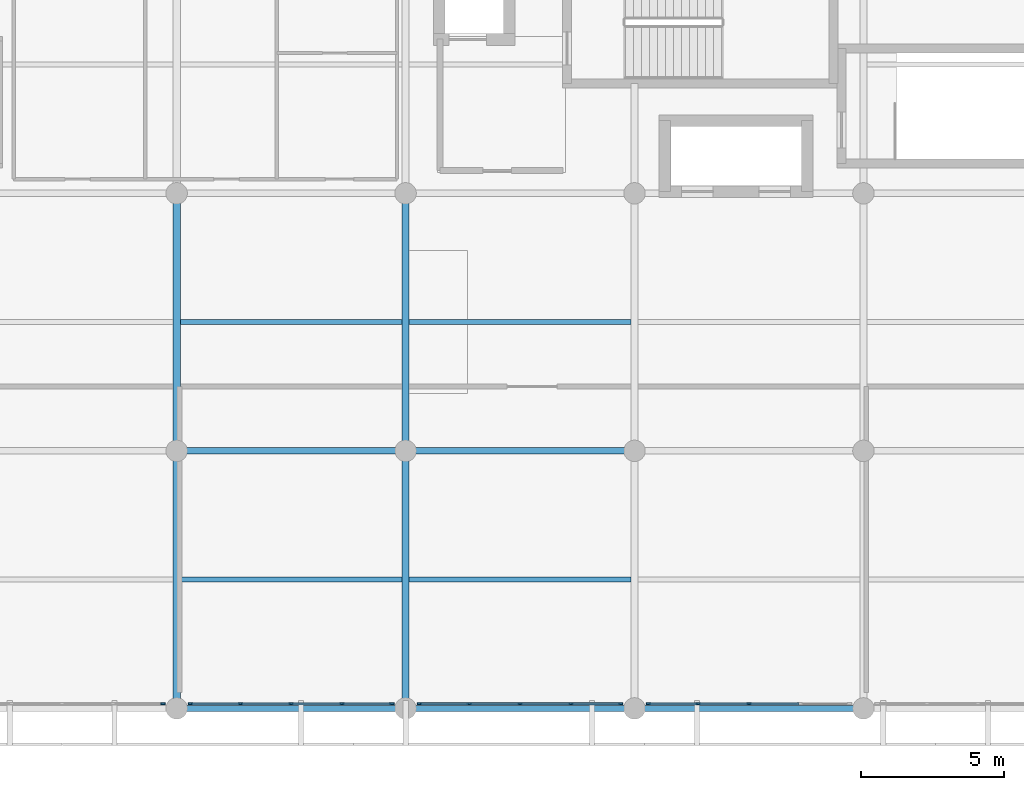
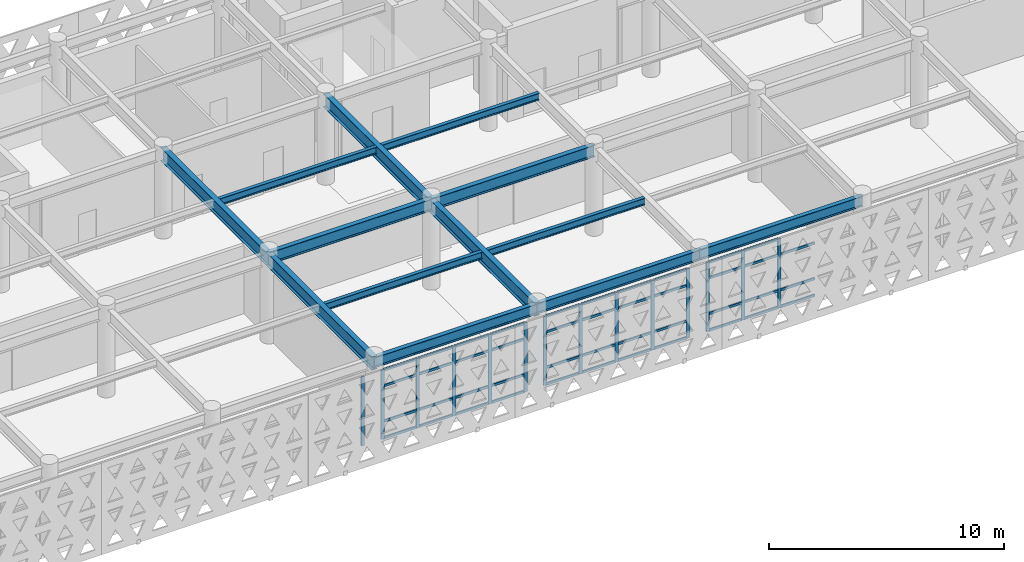
# One storey, part 10 of 33: 57 members, 13 beams, 4 elements without a shape of their own.
"""IFC4 building model written with IfcOpenShell, lengths in metres."""

import ifcopenshell
import ifcopenshell.guid

model = None  # the IFC model being written
_history = None  # IfcOwnerHistory: only IFC2X3 demands one
_inside = {}  # id of a spatial element -> (the spatial element, [elements in it])
_under = {}  # id of a project, library or spatial element -> (it, [spatial elements below it])
_declared = {}  # id of a project -> (the project, [libraries it declares])
_typed = {}  # id of a type object -> (the type object, [elements of that type])
_made_of = {}  # id of a material, layer set ... -> (it, [elements and type objects made of it])


def new_model(schema):
    """Start an empty IFC model of exactly this schema.

    Asked for "IFC4X3", IfcOpenShell would pick the latest addendum, in which some entities
    have other attributes; the version numbers below select the first issue.
    IFC2X3 requires an IfcOwnerHistory on every rooted entity: one is made here for all.
    """
    global model, _history
    if schema == "IFC4X3":
        model = ifcopenshell.file(schema_version=(4, 3, 0, 0))
    else:
        model = ifcopenshell.file(schema=schema)
    _inside.clear()
    _under.clear()
    _declared.clear()
    _typed.clear()
    _made_of.clear()
    _history = None
    if model.schema == "IFC2X3":
        org = make("IfcOrganization", Name="unknown")
        user = make(
            "IfcPersonAndOrganization",
            ThePerson=make("IfcPerson", FamilyName="unknown"),
            TheOrganization=org,
        )
        app = make(
            "IfcApplication",
            ApplicationDeveloper=org,
            Version="unknown",
            ApplicationFullName="unknown",
            ApplicationIdentifier="unknown",
        )
        _history = make(
            "IfcOwnerHistory",
            OwningUser=user,
            OwningApplication=app,
            ChangeAction="ADDED",
            CreationDate=0,
        )
    return model


def make(cls, **values):
    """One entity of the class cls with the attributes given. An attribute that is None is left unset."""
    return model.create_entity(
        cls, **{name: value for name, value in values.items() if value is not None}
    )


def rooted(cls, **values):
    """An entity with a GlobalId (a new one), such as an element, a storey or a relation."""
    return make(cls, GlobalId=ifcopenshell.guid.new(), OwnerHistory=_history, **values)


def si_unit(unit_type, name, prefix=None):
    """IfcSIUnit, for example si_unit("LENGTHUNIT", "METRE", prefix="MILLI")."""
    return make("IfcSIUnit", UnitType=unit_type, Prefix=prefix, Name=name)


def assignment(units):
    """IfcUnitAssignment: the units of a project."""
    return None if units is None else make("IfcUnitAssignment", Units=units)


def point(xyz):
    """IfcCartesianPoint."""
    return None if xyz is None else make("IfcCartesianPoint", Coordinates=xyz)


def direction(xyz):
    """IfcDirection."""
    return None if xyz is None else make("IfcDirection", DirectionRatios=xyz)


def frame(location, z_axis=None, x_axis=None):
    """IfcAxis2Placement3D, a coordinate frame: its origin and axes. An axis left out is left unset."""
    return make(
        "IfcAxis2Placement3D",
        Location=point(location),
        Axis=direction(z_axis),
        RefDirection=direction(x_axis),
    )


def frame_2d(location, x_axis=None):
    """IfcAxis2Placement2D, a coordinate frame in the plane: its origin and x axis."""
    return make(
        "IfcAxis2Placement2D", Location=point(location), RefDirection=direction(x_axis)
    )


def origin():
    """The frame at (0, 0, 0) with its axes left unset."""
    return frame((0.0, 0.0, 0.0))


def origin_2d():
    """The frame at (0, 0) in the plane with its x axis left unset."""
    return frame_2d((0.0, 0.0))


def place(relative_to, where):
    """IfcLocalPlacement: puts the frame where relative to a parent placement (None: the world)."""
    return make(
        "IfcLocalPlacement", PlacementRelTo=relative_to, RelativePlacement=where
    )


def context(
    kind, dimensions, precision=None, world=None, true_north=None, identifier=None
):
    """IfcGeometricRepresentationContext, for example the 3D "Model" context."""
    return make(
        "IfcGeometricRepresentationContext",
        ContextIdentifier=identifier,
        ContextType=kind,
        CoordinateSpaceDimension=dimensions,
        Precision=precision,
        WorldCoordinateSystem=world,
        TrueNorth=true_north,
    )


def subcontext(parent, identifier, kind, view, scale=None):
    """IfcGeometricRepresentationSubContext, for example "Body" below "Model"."""
    return make(
        "IfcGeometricRepresentationSubContext",
        ContextIdentifier=identifier,
        ContextType=kind,
        ParentContext=parent,
        TargetScale=scale,
        TargetView=view,
    )


def project(units=None, contexts=None):
    """IfcProject with its units and contexts."""
    return rooted(
        "IfcProject",
        Name="project",
        RepresentationContexts=contexts,
        UnitsInContext=assignment(units),
    )


def spatial(cls, under=None, at=None, **own):
    """A site, building, storey or space (cls), placed at a placement, below another one or the project."""
    s = rooted(cls, ObjectPlacement=at, **own)
    if under is not None:
        _under.setdefault(under.id(), (under, []))[1].append(s)
    return s


def profile(cls, at=None, kind="AREA", **sizes):
    """A parametric profile (cls). Its sizes go by their IFC names, for example OverallWidth=200.0."""
    return make(cls, ProfileType=kind, Position=at, **sizes)


def rectangle(**sizes):
    """IfcRectangleProfileDef."""
    return profile("IfcRectangleProfileDef", **sizes)


def i_section(**sizes):
    """IfcIShapeProfileDef."""
    return profile("IfcIShapeProfileDef", **sizes)


def extrude(swept, where, along, depth):
    """IfcExtrudedAreaSolid: the profile swept, set in the frame where, extruded along a direction by depth."""
    return make(
        "IfcExtrudedAreaSolid",
        SweptArea=swept,
        Position=where,
        ExtrudedDirection=direction(along),
        Depth=depth,
    )


def shape(context_of_items, identifier, shape_type, items):
    """IfcShapeRepresentation: the items that make up one representation, for example the "Body"."""
    return make(
        "IfcShapeRepresentation",
        ContextOfItems=context_of_items,
        RepresentationIdentifier=identifier,
        RepresentationType=shape_type,
        Items=items,
    )


def material(Name=None, Category=None):
    """IfcMaterial."""
    return make("IfcMaterial", Name=Name, Category=Category)


def layer(
    of_material, thickness, ventilated=None, Name=None, Category=None, Priority=None
):
    """IfcMaterialLayer: one layer of a wall or slab, of a material (None: an air gap)."""
    return make(
        "IfcMaterialLayer",
        Material=of_material,
        LayerThickness=thickness,
        IsVentilated=ventilated,
        Name=Name,
        Category=Category,
        Priority=Priority,
    )


def layer_set(layers, Name=None):
    """IfcMaterialLayerSet."""
    return make("IfcMaterialLayerSet", MaterialLayers=layers, LayerSetName=Name)


def material_profile(
    of_material, cross_section, Name=None, Category=None, Priority=None
):
    """IfcMaterialProfile: a cross section and its material."""
    return make(
        "IfcMaterialProfile",
        Name=Name,
        Material=of_material,
        Profile=cross_section,
        Priority=Priority,
        Category=Category,
    )


def profile_set(profiles, Name=None, composite=None):
    """IfcMaterialProfileSet."""
    return make(
        "IfcMaterialProfileSet",
        Name=Name,
        MaterialProfiles=profiles,
        CompositeProfile=composite,
    )


def made_of(thing, what):
    """Note that an element or type object is made of a material, layer set ...; save() writes the relation."""
    if what is not None:
        _made_of.setdefault(what.id(), (what, []))[1].append(thing)
    return thing


def type_object(cls, material=None, **own):
    """A type object (cls), such as IfcWallType, which elements share."""
    return made_of(rooted(cls, **own), material)


def element(
    cls,
    number,
    at=None,
    inside=None,
    cuts=None,
    type_object=None,
    material=None,
    context=None,
    identifier="Body",
    shape_type=None,
    held_by="IfcProductDefinitionShape",
    body=None,
    shapes=None,
    **own,
):
    """One element of the class cls, such as IfcWall. Its Tag is "e" and its number.

    at: its placement. inside: the storey or other place that contains it. cuts: it is an
    opening in that element (IfcRelVoidsElement). A single representation is given by context,
    identifier, shape_type and body (its items); several are given by shapes. held_by: the class
    of the entity that holds the representations. save() writes the other relations.
    """
    e = rooted(cls, Tag="e%d" % number, ObjectPlacement=at, **own)
    if body is not None:
        shapes = [shape(context, identifier, shape_type, body)]
    if shapes is not None:
        e.Representation = make(held_by, Representations=shapes)
    if inside is not None:
        _inside.setdefault(inside.id(), (inside, []))[1].append(e)
    if cuts is not None:
        rooted(
            "IfcRelVoidsElement", RelatingBuildingElement=cuts, RelatedOpeningElement=e
        )
    if type_object is not None:
        _typed.setdefault(type_object.id(), (type_object, []))[1].append(e)
    return made_of(e, material)


def aggregate(whole, parts):
    """IfcRelAggregates: a whole, such as a stair, and the parts it consists of."""
    return rooted("IfcRelAggregates", RelatingObject=whole, RelatedObjects=parts)


def save(model, path):
    """Write the relations noted so far, then the file.

    IfcRelAggregates (storeys below a building ...), IfcRelContainedInSpatialStructure (elements
    in a storey), IfcRelDefinesByType, IfcRelAssociatesMaterial and IfcRelDeclares: one each for
    every whole, place, type object, material and project.
    """
    for whole, parts in _under.values():
        aggregate(whole, parts)
    for where, things in _inside.values():
        rooted(
            "IfcRelContainedInSpatialStructure",
            RelatedElements=things,
            RelatingStructure=where,
        )
    for kind, things in _typed.values():
        rooted("IfcRelDefinesByType", RelatedObjects=things, RelatingType=kind)
    for what, things in _made_of.values():
        rooted("IfcRelAssociatesMaterial", RelatedObjects=things, RelatingMaterial=what)
    for by, libraries in _declared.values():
        rooted("IfcRelDeclares", RelatingContext=by, RelatedDefinitions=libraries)
    model.write(path)


model = new_model("IFC4")

# Units and contexts
model_context = context("Model", 3, precision=1e-05, world=origin(), true_north=direction((0.0, 1.0)))
body_context = subcontext(model_context, "Body", "Model", "MODEL_VIEW")
ifc_project = project(units=[si_unit("LENGTHUNIT", "METRE"), si_unit("AREAUNIT", "SQUARE_METRE"), si_unit("VOLUMEUNIT", "CUBIC_METRE"), si_unit("PLANEANGLEUNIT", "RADIAN"), si_unit("MASSUNIT", "GRAM", prefix="KILO")], contexts=[model_context])

# Site, building, storey
site_placement = place(None, origin())
site = spatial("IfcSite", under=ifc_project, at=site_placement, CompositionType="ELEMENT")
building_placement = place(site_placement, origin())
building = spatial("IfcBuilding", under=site, at=building_placement, Name="Tlacozan Convention Centre", CompositionType="ELEMENT")
storey_placement = place(building_placement, frame((0.0, 0.0, 16.199951171875)))
storey = spatial("IfcBuildingStorey", under=building, at=storey_placement, Name="L03", CompositionType="ELEMENT", Elevation=16.199951171875)

# Curtain wall, member
ifc_material_1 = material(Name="Dark Bronze Anodised Aluminium", Category="aluminium")
ifc_layer = layer(ifc_material_1, 0.159912109375)
ifc_layer_set = layer_set([ifc_layer], Name="Dark Bronze Anodised Aluminium")
curtain_wall_type = type_object("IfcCurtainWallType", Name="Unitised Congress L03 South CW04", PredefinedType="NOTDEFINED", material=ifc_layer_set)
curtain_wall_1_placement = place(storey_placement, origin())
curtain_wall_1 = element("IfcCurtainWall", 1, at=curtain_wall_1_placement, inside=storey, type_object=curtain_wall_type, Name="L03 CW-04 Run 107", PredefinedType="NOTDEFINED")
ifc_material_profile_1 = material_profile(ifc_material_1, rectangle(XDim=0.06494140625, YDim=0.159912109375, at=origin_2d()), Name="ALU 65x160")
ifc_profile_set_1 = profile_set([ifc_material_profile_1], Name="Dark Bronze Anodised Aluminium")
member_type_1 = type_object("IfcMemberType", Name="Curtain Wall Mullion 65x160", PredefinedType="MULLION", material=ifc_profile_set_1)
member_1_placement = place(storey_placement, frame((63.517578125, 0.159912109375, 0.0), z_axis=(0.0, 0.0, 1.0), x_axis=(0.0, 1.0, 0.0)))
member_1 = element("IfcMember", 2, at=member_1_placement, type_object=member_type_1, Name="CW-04 mullion 5", PredefinedType="MULLION", context=body_context, shape_type="SweptSolid", body=[
    extrude(rectangle(XDim=0.06494140625, YDim=0.159912109375, at=origin_2d()), origin(), (0.0, 0.0, 1.0), 3.60009765625),
])
aggregate(curtain_wall_1, [member_1])

# Curtain wall, members
curtain_wall_2_placement = place(storey_placement, origin())
curtain_wall_2 = element("IfcCurtainWall", 3, at=curtain_wall_2_placement, inside=storey, type_object=curtain_wall_type, Name="L03 CW-04 Run 108", PredefinedType="NOTDEFINED")
member_2_placement = place(storey_placement, frame((64.482421875, 0.159912109375, 0.0), z_axis=(0.0, 0.0, 1.0), x_axis=(0.0, 1.0, 0.0)))
member_2 = element("IfcMember", 4, at=member_2_placement, type_object=member_type_1, Name="CW-04 mullion 1", PredefinedType="MULLION", context=body_context, shape_type="SweptSolid", body=[
    extrude(rectangle(XDim=0.06494140625, YDim=0.159912109375, at=origin_2d()), origin(), (0.0, 0.0, 1.0), 3.60009765625),
])
member_3_placement = place(storey_placement, frame((66.22509765625, 0.159912109375, 0.0), z_axis=(0.0, 0.0, 1.0), x_axis=(0.0, 1.0, 0.0)))
member_3 = element("IfcMember", 5, at=member_3_placement, type_object=member_type_1, Name="CW-04 mullion 2", PredefinedType="MULLION", context=body_context, shape_type="SweptSolid", body=[
    extrude(rectangle(XDim=0.06494140625, YDim=0.159912109375, at=origin_2d()), origin(), (0.0, 0.0, 1.0), 3.60009765625),
])
member_4_placement = place(storey_placement, frame((68.0, 0.159912109375, 0.0), z_axis=(0.0, 0.0, 1.0), x_axis=(0.0, 1.0, 0.0)))
member_4 = element("IfcMember", 6, at=member_4_placement, type_object=member_type_1, Name="CW-04 mullion 3", PredefinedType="MULLION", context=body_context, shape_type="SweptSolid", body=[
    extrude(rectangle(XDim=0.06494140625, YDim=0.159912109375, at=origin_2d()), origin(), (0.0, 0.0, 1.0), 3.60009765625),
])
member_5_placement = place(storey_placement, frame((69.77490234375, 0.159912109375, 0.0), z_axis=(0.0, 0.0, 1.0), x_axis=(0.0, 1.0, 0.0)))
member_5 = element("IfcMember", 7, at=member_5_placement, type_object=member_type_1, Name="CW-04 mullion 4", PredefinedType="MULLION", context=body_context, shape_type="SweptSolid", body=[
    extrude(rectangle(XDim=0.06494140625, YDim=0.159912109375, at=origin_2d()), origin(), (0.0, 0.0, 1.0), 3.60009765625),
])
member_6_placement = place(storey_placement, frame((71.517578125, 0.159912109375, 0.0), z_axis=(0.0, 0.0, 1.0), x_axis=(0.0, 1.0, 0.0)))
member_6 = element("IfcMember", 8, at=member_6_placement, type_object=member_type_1, Name="CW-04 mullion 5", PredefinedType="MULLION", context=body_context, shape_type="SweptSolid", body=[
    extrude(rectangle(XDim=0.06494140625, YDim=0.159912109375, at=origin_2d()), origin(), (0.0, 0.0, 1.0), 3.60009765625),
])

curtain_wall_3_placement = place(storey_placement, origin())
curtain_wall_3 = element("IfcCurtainWall", 9, at=curtain_wall_3_placement, inside=storey, type_object=curtain_wall_type, Name="L03 CW-04 Run 109", PredefinedType="NOTDEFINED")
member_7_placement = place(storey_placement, frame((72.482421875, 0.159912109375, 0.0), z_axis=(0.0, 0.0, 1.0), x_axis=(0.0, 1.0, 0.0)))
member_7 = element("IfcMember", 10, at=member_7_placement, type_object=member_type_1, Name="CW-04 mullion 1", PredefinedType="MULLION", context=body_context, shape_type="SweptSolid", body=[
    extrude(rectangle(XDim=0.06494140625, YDim=0.159912109375, at=origin_2d()), origin(), (0.0, 0.0, 1.0), 3.60009765625),
])
member_8_placement = place(storey_placement, frame((74.22509765625, 0.159912109375, 0.0), z_axis=(0.0, 0.0, 1.0), x_axis=(0.0, 1.0, 0.0)))
member_8 = element("IfcMember", 11, at=member_8_placement, type_object=member_type_1, Name="CW-04 mullion 2", PredefinedType="MULLION", context=body_context, shape_type="SweptSolid", body=[
    extrude(rectangle(XDim=0.06494140625, YDim=0.159912109375, at=origin_2d()), origin(), (0.0, 0.0, 1.0), 3.60009765625),
])
member_9_placement = place(storey_placement, frame((76.0, 0.159912109375, 0.0), z_axis=(0.0, 0.0, 1.0), x_axis=(0.0, 1.0, 0.0)))
member_9 = element("IfcMember", 12, at=member_9_placement, type_object=member_type_1, Name="CW-04 mullion 3", PredefinedType="MULLION", context=body_context, shape_type="SweptSolid", body=[
    extrude(rectangle(XDim=0.06494140625, YDim=0.159912109375, at=origin_2d()), origin(), (0.0, 0.0, 1.0), 3.60009765625),
])
member_10_placement = place(storey_placement, frame((77.77490234375, 0.159912109375, 0.0), z_axis=(0.0, 0.0, 1.0), x_axis=(0.0, 1.0, 0.0)))
member_10 = element("IfcMember", 13, at=member_10_placement, type_object=member_type_1, Name="CW-04 mullion 4", PredefinedType="MULLION", context=body_context, shape_type="SweptSolid", body=[
    extrude(rectangle(XDim=0.06494140625, YDim=0.159912109375, at=origin_2d()), origin(), (0.0, 0.0, 1.0), 3.60009765625),
])
member_11_placement = place(storey_placement, frame((79.517578125, 0.159912109375, 0.0), z_axis=(0.0, 0.0, 1.0), x_axis=(0.0, 1.0, 0.0)))
member_11 = element("IfcMember", 14, at=member_11_placement, type_object=member_type_1, Name="CW-04 mullion 5", PredefinedType="MULLION", context=body_context, shape_type="SweptSolid", body=[
    extrude(rectangle(XDim=0.06494140625, YDim=0.159912109375, at=origin_2d()), origin(), (0.0, 0.0, 1.0), 3.60009765625),
])

curtain_wall_4_placement = place(storey_placement, origin())
curtain_wall_4 = element("IfcCurtainWall", 15, at=curtain_wall_4_placement, inside=storey, type_object=curtain_wall_type, Name="L03 CW-04 Run 110", PredefinedType="NOTDEFINED")
member_12_placement = place(storey_placement, frame((80.482421875, 0.159912109375, 0.0), z_axis=(0.0, 0.0, 1.0), x_axis=(0.0, 1.0, 0.0)))
member_12 = element("IfcMember", 16, at=member_12_placement, type_object=member_type_1, Name="CW-04 mullion 1", PredefinedType="MULLION", context=body_context, shape_type="SweptSolid", body=[
    extrude(rectangle(XDim=0.06494140625, YDim=0.159912109375, at=origin_2d()), origin(), (0.0, 0.0, 1.0), 3.60009765625),
])
member_13_placement = place(storey_placement, frame((82.22509765625, 0.159912109375, 0.0), z_axis=(0.0, 0.0, 1.0), x_axis=(0.0, 1.0, 0.0)))
member_13 = element("IfcMember", 17, at=member_13_placement, type_object=member_type_1, Name="CW-04 mullion 2", PredefinedType="MULLION", context=body_context, shape_type="SweptSolid", body=[
    extrude(rectangle(XDim=0.06494140625, YDim=0.159912109375, at=origin_2d()), origin(), (0.0, 0.0, 1.0), 3.60009765625),
])
member_14_placement = place(storey_placement, frame((84.0, 0.159912109375, 0.0), z_axis=(0.0, 0.0, 1.0), x_axis=(0.0, 1.0, 0.0)))
member_14 = element("IfcMember", 18, at=member_14_placement, type_object=member_type_1, Name="CW-04 mullion 3", PredefinedType="MULLION", context=body_context, shape_type="SweptSolid", body=[
    extrude(rectangle(XDim=0.06494140625, YDim=0.159912109375, at=origin_2d()), origin(), (0.0, 0.0, 1.0), 3.60009765625),
])

# Member
ifc_material_profile_2 = material_profile(ifc_material_1, rectangle(XDim=0.06494140625, YDim=0.125, at=origin_2d()), Name="ALU 65x125")
ifc_profile_set_2 = profile_set([ifc_material_profile_2], Name="Dark Bronze Anodised Aluminium")
member_type_2 = type_object("IfcMemberType", Name="Curtain Wall Transom 65x125", PredefinedType="USERDEFINED", material=ifc_profile_set_2)
member_15_placement = place(storey_placement, frame((64.514892578125, 0.159912109375, 0.032470703125), z_axis=(1.0, 0.0, 0.0), x_axis=(0.0, 1.0, 0.0)))
member_15 = element("IfcMember", 19, at=member_15_placement, type_object=member_type_2, Name="CW-04 transom 1.1", ObjectType="TRANSOM", PredefinedType="USERDEFINED", context=body_context, shape_type="SweptSolid", body=[
    extrude(rectangle(XDim=0.06494140625, YDim=0.125, at=origin_2d()), origin(), (0.0, 0.0, 1.0), 1.677490234375),
])

member_16_placement = place(storey_placement, frame((64.514892578125, 0.159912109375, 0.900146484375), z_axis=(1.0, 0.0, 0.0), x_axis=(0.0, 1.0, 0.0)))
member_16 = element("IfcMember", 20, at=member_16_placement, type_object=member_type_2, Name="CW-04 transom 1.2", ObjectType="TRANSOM", PredefinedType="USERDEFINED", context=body_context, shape_type="SweptSolid", body=[
    extrude(rectangle(XDim=0.06494140625, YDim=0.125, at=origin_2d()), origin(), (0.0, 0.0, 1.0), 1.677490234375),
])

member_17_placement = place(storey_placement, frame((64.514892578125, 0.159912109375, 2.75), z_axis=(1.0, 0.0, 0.0), x_axis=(0.0, 1.0, 0.0)))
member_17 = element("IfcMember", 21, at=member_17_placement, type_object=member_type_2, Name="CW-04 transom 1.3", ObjectType="TRANSOM", PredefinedType="USERDEFINED", context=body_context, shape_type="SweptSolid", body=[
    extrude(rectangle(XDim=0.06494140625, YDim=0.125, at=origin_2d()), origin(), (0.0, 0.0, 1.0), 1.677490234375),
])

member_18_placement = place(storey_placement, frame((64.514892578125, 0.159912109375, 3.567626953125), z_axis=(1.0, 0.0, 0.0), x_axis=(0.0, 1.0, 0.0)))
member_18 = element("IfcMember", 22, at=member_18_placement, type_object=member_type_2, Name="CW-04 transom 1.4", ObjectType="TRANSOM", PredefinedType="USERDEFINED", context=body_context, shape_type="SweptSolid", body=[
    extrude(rectangle(XDim=0.06494140625, YDim=0.125, at=origin_2d()), origin(), (0.0, 0.0, 1.0), 1.677490234375),
])

member_19_placement = place(storey_placement, frame((66.257568359375, 0.159912109375, 0.032470703125), z_axis=(1.0, 0.0, 0.0), x_axis=(0.0, 1.0, 0.0)))
member_19 = element("IfcMember", 23, at=member_19_placement, type_object=member_type_2, Name="CW-04 transom 2.1", ObjectType="TRANSOM", PredefinedType="USERDEFINED", context=body_context, shape_type="SweptSolid", body=[
    extrude(rectangle(XDim=0.06494140625, YDim=0.125, at=origin_2d()), origin(), (0.0, 0.0, 1.0), 1.7099609375),
])

member_20_placement = place(storey_placement, frame((66.257568359375, 0.159912109375, 0.900146484375), z_axis=(1.0, 0.0, 0.0), x_axis=(0.0, 1.0, 0.0)))
member_20 = element("IfcMember", 24, at=member_20_placement, type_object=member_type_2, Name="CW-04 transom 2.2", ObjectType="TRANSOM", PredefinedType="USERDEFINED", context=body_context, shape_type="SweptSolid", body=[
    extrude(rectangle(XDim=0.06494140625, YDim=0.125, at=origin_2d()), origin(), (0.0, 0.0, 1.0), 1.7099609375),
])

member_21_placement = place(storey_placement, frame((66.257568359375, 0.159912109375, 2.75), z_axis=(1.0, 0.0, 0.0), x_axis=(0.0, 1.0, 0.0)))
member_21 = element("IfcMember", 25, at=member_21_placement, type_object=member_type_2, Name="CW-04 transom 2.3", ObjectType="TRANSOM", PredefinedType="USERDEFINED", context=body_context, shape_type="SweptSolid", body=[
    extrude(rectangle(XDim=0.06494140625, YDim=0.125, at=origin_2d()), origin(), (0.0, 0.0, 1.0), 1.7099609375),
])

member_22_placement = place(storey_placement, frame((66.257568359375, 0.159912109375, 3.567626953125), z_axis=(1.0, 0.0, 0.0), x_axis=(0.0, 1.0, 0.0)))
member_22 = element("IfcMember", 26, at=member_22_placement, type_object=member_type_2, Name="CW-04 transom 2.4", ObjectType="TRANSOM", PredefinedType="USERDEFINED", context=body_context, shape_type="SweptSolid", body=[
    extrude(rectangle(XDim=0.06494140625, YDim=0.125, at=origin_2d()), origin(), (0.0, 0.0, 1.0), 1.7099609375),
])

member_23_placement = place(storey_placement, frame((68.032470703125, 0.159912109375, 0.032470703125), z_axis=(1.0, 0.0, 0.0), x_axis=(0.0, 1.0, 0.0)))
member_23 = element("IfcMember", 27, at=member_23_placement, type_object=member_type_2, Name="CW-04 transom 3.1", ObjectType="TRANSOM", PredefinedType="USERDEFINED", context=body_context, shape_type="SweptSolid", body=[
    extrude(rectangle(XDim=0.06494140625, YDim=0.125, at=origin_2d()), origin(), (0.0, 0.0, 1.0), 1.7099609375),
])

member_24_placement = place(storey_placement, frame((68.032470703125, 0.159912109375, 0.900146484375), z_axis=(1.0, 0.0, 0.0), x_axis=(0.0, 1.0, 0.0)))
member_24 = element("IfcMember", 28, at=member_24_placement, type_object=member_type_2, Name="CW-04 transom 3.2", ObjectType="TRANSOM", PredefinedType="USERDEFINED", context=body_context, shape_type="SweptSolid", body=[
    extrude(rectangle(XDim=0.06494140625, YDim=0.125, at=origin_2d()), origin(), (0.0, 0.0, 1.0), 1.7099609375),
])

member_25_placement = place(storey_placement, frame((68.032470703125, 0.159912109375, 2.75), z_axis=(1.0, 0.0, 0.0), x_axis=(0.0, 1.0, 0.0)))
member_25 = element("IfcMember", 29, at=member_25_placement, type_object=member_type_2, Name="CW-04 transom 3.3", ObjectType="TRANSOM", PredefinedType="USERDEFINED", context=body_context, shape_type="SweptSolid", body=[
    extrude(rectangle(XDim=0.06494140625, YDim=0.125, at=origin_2d()), origin(), (0.0, 0.0, 1.0), 1.7099609375),
])

member_26_placement = place(storey_placement, frame((68.032470703125, 0.159912109375, 3.567626953125), z_axis=(1.0, 0.0, 0.0), x_axis=(0.0, 1.0, 0.0)))
member_26 = element("IfcMember", 30, at=member_26_placement, type_object=member_type_2, Name="CW-04 transom 3.4", ObjectType="TRANSOM", PredefinedType="USERDEFINED", context=body_context, shape_type="SweptSolid", body=[
    extrude(rectangle(XDim=0.06494140625, YDim=0.125, at=origin_2d()), origin(), (0.0, 0.0, 1.0), 1.7099609375),
])

member_27_placement = place(storey_placement, frame((69.8076171875, 0.159912109375, 0.032470703125), z_axis=(1.0, 0.0, 0.0), x_axis=(0.0, 1.0, 0.0)))
member_27 = element("IfcMember", 31, at=member_27_placement, type_object=member_type_2, Name="CW-04 transom 4.1", ObjectType="TRANSOM", PredefinedType="USERDEFINED", context=body_context, shape_type="SweptSolid", body=[
    extrude(rectangle(XDim=0.06494140625, YDim=0.125, at=origin_2d()), origin(), (0.0, 0.0, 1.0), 1.677490234375),
])

member_28_placement = place(storey_placement, frame((69.8076171875, 0.159912109375, 0.900146484375), z_axis=(1.0, 0.0, 0.0), x_axis=(0.0, 1.0, 0.0)))
member_28 = element("IfcMember", 32, at=member_28_placement, type_object=member_type_2, Name="CW-04 transom 4.2", ObjectType="TRANSOM", PredefinedType="USERDEFINED", context=body_context, shape_type="SweptSolid", body=[
    extrude(rectangle(XDim=0.06494140625, YDim=0.125, at=origin_2d()), origin(), (0.0, 0.0, 1.0), 1.677490234375),
])

member_29_placement = place(storey_placement, frame((69.8076171875, 0.159912109375, 2.75), z_axis=(1.0, 0.0, 0.0), x_axis=(0.0, 1.0, 0.0)))
member_29 = element("IfcMember", 33, at=member_29_placement, type_object=member_type_2, Name="CW-04 transom 4.3", ObjectType="TRANSOM", PredefinedType="USERDEFINED", context=body_context, shape_type="SweptSolid", body=[
    extrude(rectangle(XDim=0.06494140625, YDim=0.125, at=origin_2d()), origin(), (0.0, 0.0, 1.0), 1.677490234375),
])

member_30_placement = place(storey_placement, frame((69.8076171875, 0.159912109375, 3.567626953125), z_axis=(1.0, 0.0, 0.0), x_axis=(0.0, 1.0, 0.0)))
member_30 = element("IfcMember", 34, at=member_30_placement, type_object=member_type_2, Name="CW-04 transom 4.4", ObjectType="TRANSOM", PredefinedType="USERDEFINED", context=body_context, shape_type="SweptSolid", body=[
    extrude(rectangle(XDim=0.06494140625, YDim=0.125, at=origin_2d()), origin(), (0.0, 0.0, 1.0), 1.677490234375),
])

aggregate(curtain_wall_2, [member_2, member_3, member_4, member_5, member_6, member_15, member_16, member_17, member_18, member_19, member_20, member_21, member_22, member_23, member_24, member_25, member_26, member_27, member_28, member_29, member_30])

member_31_placement = place(storey_placement, frame((72.514892578125, 0.159912109375, 0.032470703125), z_axis=(1.0, 0.0, 0.0), x_axis=(0.0, 1.0, 0.0)))
member_31 = element("IfcMember", 35, at=member_31_placement, type_object=member_type_2, Name="CW-04 transom 1.1", ObjectType="TRANSOM", PredefinedType="USERDEFINED", context=body_context, shape_type="SweptSolid", body=[
    extrude(rectangle(XDim=0.06494140625, YDim=0.125, at=origin_2d()), origin(), (0.0, 0.0, 1.0), 1.677490234375),
])

member_32_placement = place(storey_placement, frame((72.514892578125, 0.159912109375, 0.900146484375), z_axis=(1.0, 0.0, 0.0), x_axis=(0.0, 1.0, 0.0)))
member_32 = element("IfcMember", 36, at=member_32_placement, type_object=member_type_2, Name="CW-04 transom 1.2", ObjectType="TRANSOM", PredefinedType="USERDEFINED", context=body_context, shape_type="SweptSolid", body=[
    extrude(rectangle(XDim=0.06494140625, YDim=0.125, at=origin_2d()), origin(), (0.0, 0.0, 1.0), 1.677490234375),
])

member_33_placement = place(storey_placement, frame((72.514892578125, 0.159912109375, 2.75), z_axis=(1.0, 0.0, 0.0), x_axis=(0.0, 1.0, 0.0)))
member_33 = element("IfcMember", 37, at=member_33_placement, type_object=member_type_2, Name="CW-04 transom 1.3", ObjectType="TRANSOM", PredefinedType="USERDEFINED", context=body_context, shape_type="SweptSolid", body=[
    extrude(rectangle(XDim=0.06494140625, YDim=0.125, at=origin_2d()), origin(), (0.0, 0.0, 1.0), 1.677490234375),
])

member_34_placement = place(storey_placement, frame((72.514892578125, 0.159912109375, 3.567626953125), z_axis=(1.0, 0.0, 0.0), x_axis=(0.0, 1.0, 0.0)))
member_34 = element("IfcMember", 38, at=member_34_placement, type_object=member_type_2, Name="CW-04 transom 1.4", ObjectType="TRANSOM", PredefinedType="USERDEFINED", context=body_context, shape_type="SweptSolid", body=[
    extrude(rectangle(XDim=0.06494140625, YDim=0.125, at=origin_2d()), origin(), (0.0, 0.0, 1.0), 1.677490234375),
])

member_35_placement = place(storey_placement, frame((74.257568359375, 0.159912109375, 0.032470703125), z_axis=(1.0, 0.0, 0.0), x_axis=(0.0, 1.0, 0.0)))
member_35 = element("IfcMember", 39, at=member_35_placement, type_object=member_type_2, Name="CW-04 transom 2.1", ObjectType="TRANSOM", PredefinedType="USERDEFINED", context=body_context, shape_type="SweptSolid", body=[
    extrude(rectangle(XDim=0.06494140625, YDim=0.125, at=origin_2d()), origin(), (0.0, 0.0, 1.0), 1.7099609375),
])

member_36_placement = place(storey_placement, frame((74.257568359375, 0.159912109375, 0.900146484375), z_axis=(1.0, 0.0, 0.0), x_axis=(0.0, 1.0, 0.0)))
member_36 = element("IfcMember", 40, at=member_36_placement, type_object=member_type_2, Name="CW-04 transom 2.2", ObjectType="TRANSOM", PredefinedType="USERDEFINED", context=body_context, shape_type="SweptSolid", body=[
    extrude(rectangle(XDim=0.06494140625, YDim=0.125, at=origin_2d()), origin(), (0.0, 0.0, 1.0), 1.7099609375),
])

member_37_placement = place(storey_placement, frame((74.257568359375, 0.159912109375, 2.75), z_axis=(1.0, 0.0, 0.0), x_axis=(0.0, 1.0, 0.0)))
member_37 = element("IfcMember", 41, at=member_37_placement, type_object=member_type_2, Name="CW-04 transom 2.3", ObjectType="TRANSOM", PredefinedType="USERDEFINED", context=body_context, shape_type="SweptSolid", body=[
    extrude(rectangle(XDim=0.06494140625, YDim=0.125, at=origin_2d()), origin(), (0.0, 0.0, 1.0), 1.7099609375),
])

member_38_placement = place(storey_placement, frame((74.257568359375, 0.159912109375, 3.567626953125), z_axis=(1.0, 0.0, 0.0), x_axis=(0.0, 1.0, 0.0)))
member_38 = element("IfcMember", 42, at=member_38_placement, type_object=member_type_2, Name="CW-04 transom 2.4", ObjectType="TRANSOM", PredefinedType="USERDEFINED", context=body_context, shape_type="SweptSolid", body=[
    extrude(rectangle(XDim=0.06494140625, YDim=0.125, at=origin_2d()), origin(), (0.0, 0.0, 1.0), 1.7099609375),
])

member_39_placement = place(storey_placement, frame((76.032470703125, 0.159912109375, 0.032470703125), z_axis=(1.0, 0.0, 0.0), x_axis=(0.0, 1.0, 0.0)))
member_39 = element("IfcMember", 43, at=member_39_placement, type_object=member_type_2, Name="CW-04 transom 3.1", ObjectType="TRANSOM", PredefinedType="USERDEFINED", context=body_context, shape_type="SweptSolid", body=[
    extrude(rectangle(XDim=0.06494140625, YDim=0.125, at=origin_2d()), origin(), (0.0, 0.0, 1.0), 1.7099609375),
])

member_40_placement = place(storey_placement, frame((76.032470703125, 0.159912109375, 0.900146484375), z_axis=(1.0, 0.0, 0.0), x_axis=(0.0, 1.0, 0.0)))
member_40 = element("IfcMember", 44, at=member_40_placement, type_object=member_type_2, Name="CW-04 transom 3.2", ObjectType="TRANSOM", PredefinedType="USERDEFINED", context=body_context, shape_type="SweptSolid", body=[
    extrude(rectangle(XDim=0.06494140625, YDim=0.125, at=origin_2d()), origin(), (0.0, 0.0, 1.0), 1.7099609375),
])

member_41_placement = place(storey_placement, frame((76.032470703125, 0.159912109375, 2.75), z_axis=(1.0, 0.0, 0.0), x_axis=(0.0, 1.0, 0.0)))
member_41 = element("IfcMember", 45, at=member_41_placement, type_object=member_type_2, Name="CW-04 transom 3.3", ObjectType="TRANSOM", PredefinedType="USERDEFINED", context=body_context, shape_type="SweptSolid", body=[
    extrude(rectangle(XDim=0.06494140625, YDim=0.125, at=origin_2d()), origin(), (0.0, 0.0, 1.0), 1.7099609375),
])

member_42_placement = place(storey_placement, frame((76.032470703125, 0.159912109375, 3.567626953125), z_axis=(1.0, 0.0, 0.0), x_axis=(0.0, 1.0, 0.0)))
member_42 = element("IfcMember", 46, at=member_42_placement, type_object=member_type_2, Name="CW-04 transom 3.4", ObjectType="TRANSOM", PredefinedType="USERDEFINED", context=body_context, shape_type="SweptSolid", body=[
    extrude(rectangle(XDim=0.06494140625, YDim=0.125, at=origin_2d()), origin(), (0.0, 0.0, 1.0), 1.7099609375),
])

member_43_placement = place(storey_placement, frame((77.8076171875, 0.159912109375, 0.032470703125), z_axis=(1.0, 0.0, 0.0), x_axis=(0.0, 1.0, 0.0)))
member_43 = element("IfcMember", 47, at=member_43_placement, type_object=member_type_2, Name="CW-04 transom 4.1", ObjectType="TRANSOM", PredefinedType="USERDEFINED", context=body_context, shape_type="SweptSolid", body=[
    extrude(rectangle(XDim=0.06494140625, YDim=0.125, at=origin_2d()), origin(), (0.0, 0.0, 1.0), 1.677490234375),
])

member_44_placement = place(storey_placement, frame((77.8076171875, 0.159912109375, 0.900146484375), z_axis=(1.0, 0.0, 0.0), x_axis=(0.0, 1.0, 0.0)))
member_44 = element("IfcMember", 48, at=member_44_placement, type_object=member_type_2, Name="CW-04 transom 4.2", ObjectType="TRANSOM", PredefinedType="USERDEFINED", context=body_context, shape_type="SweptSolid", body=[
    extrude(rectangle(XDim=0.06494140625, YDim=0.125, at=origin_2d()), origin(), (0.0, 0.0, 1.0), 1.677490234375),
])

member_45_placement = place(storey_placement, frame((77.8076171875, 0.159912109375, 2.75), z_axis=(1.0, 0.0, 0.0), x_axis=(0.0, 1.0, 0.0)))
member_45 = element("IfcMember", 49, at=member_45_placement, type_object=member_type_2, Name="CW-04 transom 4.3", ObjectType="TRANSOM", PredefinedType="USERDEFINED", context=body_context, shape_type="SweptSolid", body=[
    extrude(rectangle(XDim=0.06494140625, YDim=0.125, at=origin_2d()), origin(), (0.0, 0.0, 1.0), 1.677490234375),
])

member_46_placement = place(storey_placement, frame((77.8076171875, 0.159912109375, 3.567626953125), z_axis=(1.0, 0.0, 0.0), x_axis=(0.0, 1.0, 0.0)))
member_46 = element("IfcMember", 50, at=member_46_placement, type_object=member_type_2, Name="CW-04 transom 4.4", ObjectType="TRANSOM", PredefinedType="USERDEFINED", context=body_context, shape_type="SweptSolid", body=[
    extrude(rectangle(XDim=0.06494140625, YDim=0.125, at=origin_2d()), origin(), (0.0, 0.0, 1.0), 1.677490234375),
])

aggregate(curtain_wall_3, [member_7, member_8, member_9, member_10, member_11, member_31, member_32, member_33, member_34, member_35, member_36, member_37, member_38, member_39, member_40, member_41, member_42, member_43, member_44, member_45, member_46])

member_47_placement = place(storey_placement, frame((80.514892578125, 0.159912109375, 0.032470703125), z_axis=(1.0, 0.0, 0.0), x_axis=(0.0, 1.0, 0.0)))
member_47 = element("IfcMember", 51, at=member_47_placement, type_object=member_type_2, Name="CW-04 transom 1.1", ObjectType="TRANSOM", PredefinedType="USERDEFINED", context=body_context, shape_type="SweptSolid", body=[
    extrude(rectangle(XDim=0.06494140625, YDim=0.125, at=origin_2d()), origin(), (0.0, 0.0, 1.0), 1.677490234375),
])

member_48_placement = place(storey_placement, frame((80.514892578125, 0.159912109375, 0.900146484375), z_axis=(1.0, 0.0, 0.0), x_axis=(0.0, 1.0, 0.0)))
member_48 = element("IfcMember", 52, at=member_48_placement, type_object=member_type_2, Name="CW-04 transom 1.2", ObjectType="TRANSOM", PredefinedType="USERDEFINED", context=body_context, shape_type="SweptSolid", body=[
    extrude(rectangle(XDim=0.06494140625, YDim=0.125, at=origin_2d()), origin(), (0.0, 0.0, 1.0), 1.677490234375),
])

member_49_placement = place(storey_placement, frame((80.514892578125, 0.159912109375, 2.75), z_axis=(1.0, 0.0, 0.0), x_axis=(0.0, 1.0, 0.0)))
member_49 = element("IfcMember", 53, at=member_49_placement, type_object=member_type_2, Name="CW-04 transom 1.3", ObjectType="TRANSOM", PredefinedType="USERDEFINED", context=body_context, shape_type="SweptSolid", body=[
    extrude(rectangle(XDim=0.06494140625, YDim=0.125, at=origin_2d()), origin(), (0.0, 0.0, 1.0), 1.677490234375),
])

member_50_placement = place(storey_placement, frame((80.514892578125, 0.159912109375, 3.567626953125), z_axis=(1.0, 0.0, 0.0), x_axis=(0.0, 1.0, 0.0)))
member_50 = element("IfcMember", 54, at=member_50_placement, type_object=member_type_2, Name="CW-04 transom 1.4", ObjectType="TRANSOM", PredefinedType="USERDEFINED", context=body_context, shape_type="SweptSolid", body=[
    extrude(rectangle(XDim=0.06494140625, YDim=0.125, at=origin_2d()), origin(), (0.0, 0.0, 1.0), 1.677490234375),
])

member_51_placement = place(storey_placement, frame((82.257568359375, 0.159912109375, 0.032470703125), z_axis=(1.0, 0.0, 0.0), x_axis=(0.0, 1.0, 0.0)))
member_51 = element("IfcMember", 55, at=member_51_placement, type_object=member_type_2, Name="CW-04 transom 2.1", ObjectType="TRANSOM", PredefinedType="USERDEFINED", context=body_context, shape_type="SweptSolid", body=[
    extrude(rectangle(XDim=0.06494140625, YDim=0.125, at=origin_2d()), origin(), (0.0, 0.0, 1.0), 1.7099609375),
])

member_52_placement = place(storey_placement, frame((82.257568359375, 0.159912109375, 0.900146484375), z_axis=(1.0, 0.0, 0.0), x_axis=(0.0, 1.0, 0.0)))
member_52 = element("IfcMember", 56, at=member_52_placement, type_object=member_type_2, Name="CW-04 transom 2.2", ObjectType="TRANSOM", PredefinedType="USERDEFINED", context=body_context, shape_type="SweptSolid", body=[
    extrude(rectangle(XDim=0.06494140625, YDim=0.125, at=origin_2d()), origin(), (0.0, 0.0, 1.0), 1.7099609375),
])

member_53_placement = place(storey_placement, frame((82.257568359375, 0.159912109375, 2.75), z_axis=(1.0, 0.0, 0.0), x_axis=(0.0, 1.0, 0.0)))
member_53 = element("IfcMember", 57, at=member_53_placement, type_object=member_type_2, Name="CW-04 transom 2.3", ObjectType="TRANSOM", PredefinedType="USERDEFINED", context=body_context, shape_type="SweptSolid", body=[
    extrude(rectangle(XDim=0.06494140625, YDim=0.125, at=origin_2d()), origin(), (0.0, 0.0, 1.0), 1.7099609375),
])

member_54_placement = place(storey_placement, frame((82.257568359375, 0.159912109375, 3.567626953125), z_axis=(1.0, 0.0, 0.0), x_axis=(0.0, 1.0, 0.0)))
member_54 = element("IfcMember", 58, at=member_54_placement, type_object=member_type_2, Name="CW-04 transom 2.4", ObjectType="TRANSOM", PredefinedType="USERDEFINED", context=body_context, shape_type="SweptSolid", body=[
    extrude(rectangle(XDim=0.06494140625, YDim=0.125, at=origin_2d()), origin(), (0.0, 0.0, 1.0), 1.7099609375),
])

member_55_placement = place(storey_placement, frame((84.032470703125, 0.159912109375, 0.032470703125), z_axis=(1.0, 0.0, 0.0), x_axis=(0.0, 1.0, 0.0)))
member_55 = element("IfcMember", 59, at=member_55_placement, type_object=member_type_2, Name="CW-04 transom 3.1", ObjectType="TRANSOM", PredefinedType="USERDEFINED", context=body_context, shape_type="SweptSolid", body=[
    extrude(rectangle(XDim=0.06494140625, YDim=0.125, at=origin_2d()), origin(), (0.0, 0.0, 1.0), 1.7099609375),
])

member_56_placement = place(storey_placement, frame((84.032470703125, 0.159912109375, 0.900146484375), z_axis=(1.0, 0.0, 0.0), x_axis=(0.0, 1.0, 0.0)))
member_56 = element("IfcMember", 60, at=member_56_placement, type_object=member_type_2, Name="CW-04 transom 3.2", ObjectType="TRANSOM", PredefinedType="USERDEFINED", context=body_context, shape_type="SweptSolid", body=[
    extrude(rectangle(XDim=0.06494140625, YDim=0.125, at=origin_2d()), origin(), (0.0, 0.0, 1.0), 1.7099609375),
])

member_57_placement = place(storey_placement, frame((84.032470703125, 0.159912109375, 2.75), z_axis=(1.0, 0.0, 0.0), x_axis=(0.0, 1.0, 0.0)))
member_57 = element("IfcMember", 61, at=member_57_placement, type_object=member_type_2, Name="CW-04 transom 3.3", ObjectType="TRANSOM", PredefinedType="USERDEFINED", context=body_context, shape_type="SweptSolid", body=[
    extrude(rectangle(XDim=0.06494140625, YDim=0.125, at=origin_2d()), origin(), (0.0, 0.0, 1.0), 1.7099609375),
])

aggregate(curtain_wall_4, [member_12, member_13, member_14, member_47, member_48, member_49, member_50, member_51, member_52, member_53, member_54, member_55, member_56, member_57])

# Beams
ifc_material_2 = material(Name="Steel ASTM A992 Grade 50", Category="steel")
ifc_material_profile_3 = material_profile(ifc_material_2, i_section(OverallWidth=0.22900390625, OverallDepth=0.612060546875, WebThickness=0.011962890625, FlangeThickness=0.01953125, FilletRadius=0.012939453125, at=origin_2d()), Name="IR 610x125.0")
ifc_profile_set_3 = profile_set([ifc_material_profile_3], Name="Steel ASTM A992 Grade 50")
beam_type_1 = type_object("IfcBeamType", Name="Floor Beam IR 610x125", PredefinedType="BEAM", material=ifc_profile_set_3)
for number, where, z_axis, x_axis, name in (
    (62, (64.0, 9.0, 4.254150390625), (1.0, 0.0, 0.0), (0.0, 1.0, 0.0), "L03 Floor Beam IR 610x125 605"),
    (63, (72.0, 9.0, 4.254150390625), (1.0, 0.0, 0.0), (0.0, 1.0, 0.0), "L03 Floor Beam IR 610x125 609"),
):
    element("IfcBeam", number, at=place(storey_placement, frame(where, z_axis=z_axis, x_axis=x_axis)), inside=storey, type_object=beam_type_1, Name=name, PredefinedType="BEAM", context=body_context, shape_type="SweptSolid", body=[
        extrude(i_section(OverallWidth=0.22900390625, OverallDepth=0.612060546875, WebThickness=0.011962890625, FlangeThickness=0.01953125, FilletRadius=0.012939453125, at=origin_2d()), origin(), (0.0, 0.0, 1.0), 8.0),
    ])
ifc_material_profile_4 = material_profile(ifc_material_2, i_section(OverallWidth=0.256103515625, OverallDepth=0.693115234375, WebThickness=0.014404296875, FlangeThickness=0.023681640625, FilletRadius=0.014892578125, at=origin_2d()), Name="IR 686x170.0")
ifc_profile_set_4 = profile_set([ifc_material_profile_4], Name="Steel ASTM A992 Grade 50")
beam_type_2 = type_object("IfcBeamType", Name="Girder Steel IR 686x170", PredefinedType="BEAM", material=ifc_profile_set_4)
for number, where, z_axis, x_axis, name in (
    (64, (64.0, 0.0, 4.213623046875), (0.0, 1.0, 0.0), (-1.0, 0.0, 0.0), "L03 Girder Steel IR 686x170 558"),
    (65, (64.0, 9.0, 4.213623046875), (0.0, 1.0, 0.0), (-1.0, 0.0, 0.0), "L03 Girder Steel IR 686x170 559"),
    (66, (72.0, 0.0, 4.213623046875), (0.0, 1.0, 0.0), (-1.0, 0.0, 0.0), "L03 Girder Steel IR 686x170 561"),
    (67, (72.0, 9.0, 4.213623046875), (0.0, 1.0, 0.0), (-1.0, 0.0, 0.0), "L03 Girder Steel IR 686x170 562"),
):
    element("IfcBeam", number, at=place(storey_placement, frame(where, z_axis=z_axis, x_axis=x_axis)), inside=storey, type_object=beam_type_2, Name=name, PredefinedType="BEAM", context=body_context, shape_type="SweptSolid", body=[
        extrude(i_section(OverallWidth=0.256103515625, OverallDepth=0.693115234375, WebThickness=0.014404296875, FlangeThickness=0.023681640625, FilletRadius=0.014892578125, at=origin_2d()), origin(), (0.0, 0.0, 1.0), 9.0),
    ])
ifc_material_profile_5 = material_profile(ifc_material_2, i_section(OverallWidth=0.2109375, OverallDepth=0.5390625, WebThickness=0.01171875, FlangeThickness=0.018798828125, FilletRadius=0.012939453125, at=origin_2d()), Name="IR 533x109.0")
ifc_profile_set_5 = profile_set([ifc_material_profile_5], Name="Steel ASTM A992 Grade 50")
beam_type_3 = type_object("IfcBeamType", Name="Perimeter Spandrel IR 533x109", PredefinedType="SPANDREL", material=ifc_profile_set_5)
for number, where, z_axis, x_axis, name in (
    (68, (64.0, 0.0, 4.29052734375), (1.0, 0.0, 0.0), (0.0, 1.0, 0.0), "L03 Perimeter Spandrel IR 533x109 604"),
    (69, (72.0, 0.0, 4.29052734375), (1.0, 0.0, 0.0), (0.0, 1.0, 0.0), "L03 Perimeter Spandrel IR 533x109 608"),
    (70, (80.0, 0.0, 4.29052734375), (1.0, 0.0, 0.0), (0.0, 1.0, 0.0), "L03 Perimeter Spandrel IR 533x109 612"),
):
    element("IfcBeam", number, at=place(storey_placement, frame(where, z_axis=z_axis, x_axis=x_axis)), inside=storey, type_object=beam_type_3, Name=name, PredefinedType="SPANDREL", context=body_context, shape_type="SweptSolid", body=[
        extrude(i_section(OverallWidth=0.2109375, OverallDepth=0.5390625, WebThickness=0.01171875, FlangeThickness=0.018798828125, FilletRadius=0.012939453125, at=origin_2d()), origin(), (0.0, 0.0, 1.0), 8.0),
    ])
ifc_material_profile_6 = material_profile(ifc_material_2, i_section(OverallWidth=0.173095703125, OverallDepth=0.364013671875, WebThickness=0.009033203125, FlangeThickness=0.015625, FilletRadius=0.010009765625, at=origin_2d()), Name="IR 356x67.1")
ifc_profile_set_6 = profile_set([ifc_material_profile_6], Name="Steel ASTM A992 Grade 50")
beam_type_4 = type_object("IfcBeamType", Name="Secondary Joist IR 356x67.1", PredefinedType="JOIST", material=ifc_profile_set_6)
for number, where, z_axis, x_axis, name in (
    (71, (64.1259765625, 4.5, 4.3779296875), (1.0, 0.0, 0.0), (0.0, 1.0, 0.0), "L03 Secondary Joist IR 356x67.1 639"),
    (72, (64.1259765625, 13.5, 4.3779296875), (1.0, 0.0, 0.0), (0.0, 1.0, 0.0), "L03 Secondary Joist IR 356x67.1 640"),
    (73, (72.1259765625, 4.5, 4.3779296875), (1.0, 0.0, 0.0), (0.0, 1.0, 0.0), "L03 Secondary Joist IR 356x67.1 642"),
    (74, (72.1259765625, 13.5, 4.3779296875), (1.0, 0.0, 0.0), (0.0, 1.0, 0.0), "L03 Secondary Joist IR 356x67.1 643"),
):
    element("IfcBeam", number, at=place(storey_placement, frame(where, z_axis=z_axis, x_axis=x_axis)), inside=storey, type_object=beam_type_4, Name=name, PredefinedType="JOIST", context=body_context, shape_type="SweptSolid", body=[
        extrude(i_section(OverallWidth=0.173095703125, OverallDepth=0.364013671875, WebThickness=0.009033203125, FlangeThickness=0.015625, FilletRadius=0.010009765625, at=origin_2d()), origin(), (0.0, 0.0, 1.0), 7.748046875),
    ])

save(model, "model.ifc")
